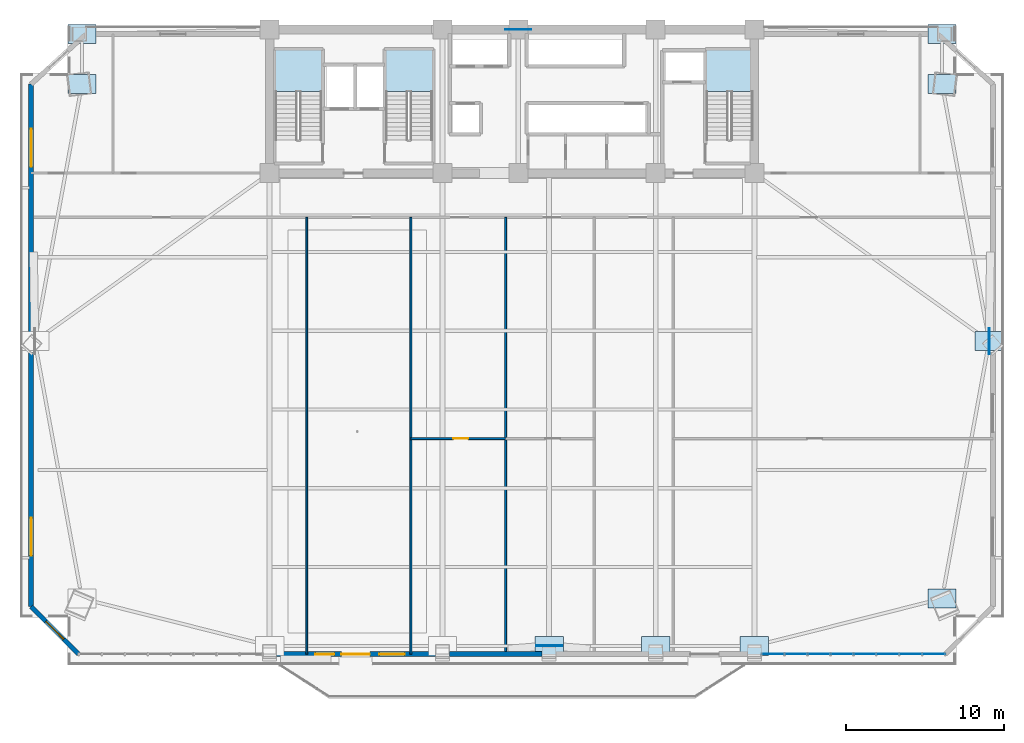
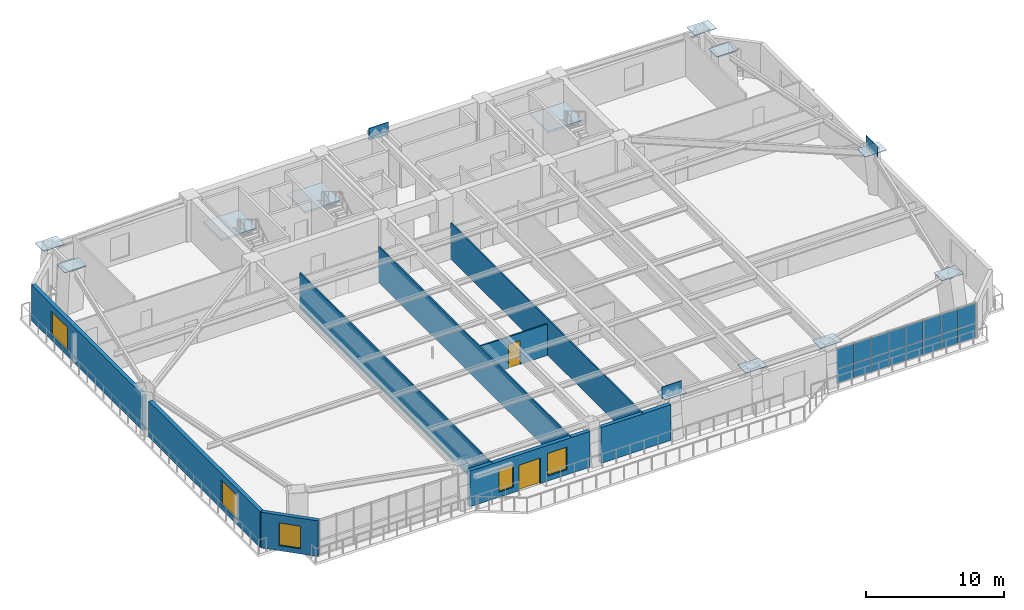
# One storey, part 7 of 15: 28 plates, 9 walls, 5 windows, 3 slabs, 2 doors, 7 openings, 4 elements without a shape of their own.
"""IFC4 building model written with IfcOpenShell, lengths in metres."""

from ifc_helpers import new_model, si_unit, direction, frame, frame_2d, origin, origin_2d, place, context, subcontext, project, spatial, polyline, rectangle, outline, extrude, source, transform, mapped, material, layer, layer_set, type_object, element, fill, aggregate, save


model = new_model("IFC4")

# Units and contexts
model_context = context("Model", 3, precision=1e-05, world=origin(), true_north=direction((0.0, 1.0)))
body_context = subcontext(model_context, "Body", "Model", "MODEL_VIEW")
ifc_project = project(units=[si_unit("LENGTHUNIT", "METRE"), si_unit("AREAUNIT", "SQUARE_METRE"), si_unit("VOLUMEUNIT", "CUBIC_METRE"), si_unit("PLANEANGLEUNIT", "RADIAN"), si_unit("MASSUNIT", "GRAM", prefix="KILO")], contexts=[model_context])

# Site, building, storey
site_placement = place(None, origin())
site = spatial("IfcSite", under=ifc_project, at=site_placement, CompositionType="ELEMENT")
building_placement = place(site_placement, origin())
building = spatial("IfcBuilding", under=site, at=building_placement, Name="Giltprow Tower", CompositionType="ELEMENT")
storey_placement = place(building_placement, frame((0.0, 0.0, 119.199951171875)))
storey = spatial("IfcBuildingStorey", under=building, at=storey_placement, Name="L29", CompositionType="ELEMENT", Elevation=119.199951171875)

# Stair, slab
ifc_material_1 = material(Name="Concrete C40", Category="concrete")
stair_type_1 = type_object("IfcStairType", Name="STR-ST-1", PredefinedType="HALF_TURN_STAIR", material=ifc_material_1)
stair_1_placement = place(storey_placement, origin())
stair_1 = element("IfcStair", 1, at=stair_1_placement, inside=storey, type_object=stair_type_1, Name="L29 Core Exit Stair ST-1", PredefinedType="HALF_TURN_STAIR")
ifc_layer_1 = layer(ifc_material_1, 0.179931640625, Name="Concrete C40")
ifc_layer_set_1 = layer_set([ifc_layer_1], Name="Concrete C40")
slab_type_1 = type_object("IfcSlabType", Name="SLD-ST-1", PredefinedType="LANDING", material=ifc_layer_set_1)
slab_1_placement = place(storey_placement, frame((0.0, 0.0, 1.77001953125)))
slab_1 = element("IfcSlab", 2, at=slab_1_placement, type_object=slab_type_1, Name="ST-1 landing 1", PredefinedType="LANDING", context=body_context, shape_type="SweptSolid", body=[
    extrude(outline(polyline([(23.159912109375, 42.6298828125), (23.159912109375, 45.25), (20.199951171875, 45.25), (20.199951171875, 42.6298828125), (23.159912109375, 42.6298828125)])), origin(), (0.0, 0.0, 1.0), 0.179931640625),
])
aggregate(stair_1, [slab_1])

stair_type_2 = type_object("IfcStairType", Name="STR-ST-2", PredefinedType="HALF_TURN_STAIR", material=ifc_material_1)
stair_2_placement = place(storey_placement, origin())
stair_2 = element("IfcStair", 3, at=stair_2_placement, inside=storey, type_object=stair_type_2, Name="L29 Core Exit Stair ST-2", PredefinedType="HALF_TURN_STAIR")
ifc_layer_2 = layer(ifc_material_1, 0.18798828125, Name="Concrete C40")
ifc_layer_set_2 = layer_set([ifc_layer_2], Name="Concrete C40")
slab_type_2 = type_object("IfcSlabType", Name="SLD-ST-2", PredefinedType="LANDING", material=ifc_layer_set_2)
slab_2_placement = place(storey_placement, frame((0.0, 0.0, 1.761962890625)))
slab_2 = element("IfcSlab", 4, at=slab_2_placement, type_object=slab_type_2, Name="ST-2 landing 1", PredefinedType="LANDING", context=body_context, shape_type="SweptSolid", body=[
    extrude(outline(polyline([(30.159912109375, 42.6298828125), (30.159912109375, 45.25), (27.199951171875, 45.25), (27.199951171875, 42.6298828125), (30.159912109375, 42.6298828125)])), origin(), (0.0, 0.0, 1.0), 0.18798828125),
])
aggregate(stair_2, [slab_2])

stair_type_3 = type_object("IfcStairType", Name="STR-ST-3", PredefinedType="HALF_TURN_STAIR", material=ifc_material_1)
stair_3_placement = place(storey_placement, origin())
stair_3 = element("IfcStair", 5, at=stair_3_placement, inside=storey, type_object=stair_type_3, Name="L29 Core Exit Stair ST-3", PredefinedType="HALF_TURN_STAIR")
ifc_layer_3 = layer(ifc_material_1, 0.196044921875, Name="Concrete C40")
ifc_layer_set_3 = layer_set([ifc_layer_3], Name="Concrete C40")
slab_type_3 = type_object("IfcSlabType", Name="SLD-ST-3", PredefinedType="LANDING", material=ifc_layer_set_3)
slab_3_placement = place(storey_placement, frame((0.0, 0.0, 1.754150390625)))
slab_3 = element("IfcSlab", 6, at=slab_3_placement, type_object=slab_type_3, Name="ST-3 landing 1", PredefinedType="LANDING", context=body_context, shape_type="SweptSolid", body=[
    extrude(outline(polyline([(50.4599609375, 42.6298828125), (50.4599609375, 45.25), (47.5, 45.25), (47.5, 42.6298828125), (50.4599609375, 42.6298828125)])), origin(), (0.0, 0.0, 1.0), 0.19580078125),
])
aggregate(stair_3, [slab_3])

# Plates
ifc_material_2 = material(Name="Structural steel Q420GJC", Category="steel")
plate_type_1 = type_object("IfcPlateType", Name="PLT-NODE-CKN1", PredefinedType="USERDEFINED", material=ifc_material_2)
shared_shape_1 = source(origin(), body_context, "Body", "SweptSolid", [
    extrude(rectangle(XDim=1.800048828125, YDim=1.199951171875, at=origin_2d()), origin(), (0.0, 0.0, 1.0), 0.044921875),
])
for number, where, z_axis, x_axis, name in (
    (7, (62.429931640625, 10.509033203125, 3.6376953125), (0.0, 0.0, 1.0), (1.0, 0.0, 0.0), "CKN1 Column Taper Splice Node L29-MC_SE"),
    (8, (7.969970703125, 43.10888671875, 3.6376953125), (0.0, 0.0, 1.0), (1.0, 0.0, 0.0), "CKN1 Column Taper Splice Node L29-MC_NW"),
    (9, (62.429931640625, 43.10888671875, 3.6376953125), (0.0, 0.0, 1.0), (1.0, 0.0, 0.0), "CKN1 Column Taper Splice Node L29-MC_NE"),
    (10, (37.550048828125, 7.51806640625, 3.6376953125), (0.0, 0.0, 1.0), (1.0, 0.0, 0.0), "CKN1 Column Taper Splice Node L29-S_MID"),
    (11, (44.300048828125, 7.51806640625, 3.6376953125), (0.0, 0.0, 1.0), (1.0, 0.0, 0.0), "CKN1 Column Taper Splice Node L29-S3"),
    (12, (50.550048828125, 7.51806640625, 3.6376953125), (0.0, 0.0, 1.0), (1.0, 0.0, 0.0), "CKN1 Column Taper Splice Node L29-S4"),
    (13, (65.4208984375, 26.80908203125, 3.6376953125), (0.0, 0.0, 1.0), (1.0, 0.0, 0.0), "CKN1 Column Taper Splice Node L29-E_MID"),
    (14, (7.969970703125, 46.25, 3.6376953125), (0.0, 0.0, 1.0), (1.0, 0.0, 0.0), "CKN1 Column Taper Splice Node L29-N_W"),
    (15, (62.429931640625, 46.25, 3.6376953125), (0.0, 0.0, 1.0), (1.0, 0.0, 0.0), "CKN1 Column Taper Splice Node L29-N_E"),
):
    element("IfcPlate", number, at=place(storey_placement, frame(where, z_axis=z_axis, x_axis=x_axis)), inside=storey, type_object=plate_type_1, Name=name, ObjectType="SPLICE", PredefinedType="USERDEFINED", context=body_context, shape_type="MappedRepresentation", body=[
        mapped(shared_shape_1, transform((0.0, 0.0, 0.0), x_axis=(1.0, 0.0, 0.0), y_axis=(0.0, 1.0, 0.0), z_axis=(0.0, 0.0, 1.0), scale=1.0)),
    ])
plate_type_2 = type_object("IfcPlateType", Name="PLT-NODE-MBN2", PredefinedType="USERDEFINED", material=ifc_material_2)
shared_shape_2 = source(origin(), body_context, "Body", "SweptSolid", [
    extrude(rectangle(XDim=1.64990234375, YDim=0.044921875, at=origin_2d()), origin(), (0.0, 0.0, 1.0), 1.050048828125),
])
for number, where, z_axis, x_axis, name in (
    (16, (37.550048828125, 7.51806640625, 3.375), (0.0, 0.0, 1.0), (1.0, 0.0, 0.0), "Mega-Brace Node L29-S-LB"),
    (17, (35.60009765625, 46.550048828125, 3.23486328125), (0.0, 0.0, 1.0), (1.0, 0.0, 0.0), "Mega-Brace Node L29-N-LB"),
    (18, (65.4208984375, 26.80908203125, 3.375), (0.0, 0.0, 1.0), (0.0, 1.0, 0.0), "Mega-Brace Node L29-E-RB"),
):
    element("IfcPlate", number, at=place(storey_placement, frame(where, z_axis=z_axis, x_axis=x_axis)), inside=storey, type_object=plate_type_2, Name=name, ObjectType="GUSSET", PredefinedType="USERDEFINED", context=body_context, shape_type="MappedRepresentation", body=[
        mapped(shared_shape_2, transform((0.0, 0.0, 0.0), x_axis=(1.0, 0.0, 0.0), y_axis=(0.0, 1.0, 0.0), z_axis=(0.0, 0.0, 1.0), scale=1.0)),
    ])

# Curtain wall, plates
ifc_material_3 = material(Name="Anodized bronze", Category="metal")
ifc_layer_4 = layer(ifc_material_3, 0.179931640625, Name="Anodized bronze")
ifc_layer_set_4 = layer_set([ifc_layer_4], Name="Anodized bronze")
curtain_wall_type = type_object("IfcCurtainWallType", Name="CW-OFF-RECESSED", PredefinedType="NOTDEFINED", material=ifc_layer_set_4)
curtain_wall_placement = place(storey_placement, origin())
curtain_wall = element("IfcCurtainWall", 19, at=curtain_wall_placement, inside=storey, type_object=curtain_wall_type, Name="L29 South Recessed Curtain Wall 6", PredefinedType="NOTDEFINED")
ifc_material_4 = material(Name="Insulated glass", Category="glass")
plate_type_3 = type_object("IfcPlateType", Name="CW-PANEL-IGU-28", PredefinedType="CURTAIN_PANEL", material=ifc_material_4)
shared_shape_3 = source(origin(), body_context, "Body", "SweptSolid", [
    extrude(rectangle(XDim=1.425048828125, YDim=0.028076171875, at=origin_2d()), origin(), (0.0, 0.0, 1.0), 1.259033203125),
])
plate_1_placement = place(storey_placement, frame((51.72705078125, 6.989990234375, 0.0537109375), z_axis=(0.0, 0.0, 1.0), x_axis=(1.0, 0.0, 0.0)))
plate_1 = element("IfcPlate", 20, at=plate_1_placement, type_object=plate_type_3, Name="L29 South Recessed Curtain Wall 6 Glazing Panel 1-1", PredefinedType="CURTAIN_PANEL", context=body_context, shape_type="MappedRepresentation", body=[
    mapped(shared_shape_3, transform((0.0, 0.0, 0.0), x_axis=(1.0, 0.0, 0.0), y_axis=(0.0, 1.0, 0.0), z_axis=(0.0, 0.0, 1.0), scale=1.0)),
])
plate_2_placement = place(storey_placement, frame((53.181884765625, 6.989990234375, 0.0537109375), z_axis=(0.0, 0.0, 1.0), x_axis=(1.0, 0.0, 0.0)))
plate_2 = element("IfcPlate", 21, at=plate_2_placement, type_object=plate_type_3, Name="L29 South Recessed Curtain Wall 6 Glazing Panel 2-1", PredefinedType="CURTAIN_PANEL", context=body_context, shape_type="MappedRepresentation", body=[
    mapped(shared_shape_3, transform((0.0, 0.0, 0.0), x_axis=(1.0, 0.0, 0.0), y_axis=(0.0, 1.0, 0.0), z_axis=(0.0, 0.0, 1.0), scale=1.0)),
])
plate_3_placement = place(storey_placement, frame((54.636962890625, 6.989990234375, 0.0537109375), z_axis=(0.0, 0.0, 1.0), x_axis=(1.0, 0.0, 0.0)))
plate_3 = element("IfcPlate", 22, at=plate_3_placement, type_object=plate_type_3, Name="L29 South Recessed Curtain Wall 6 Glazing Panel 3-1", PredefinedType="CURTAIN_PANEL", context=body_context, shape_type="MappedRepresentation", body=[
    mapped(shared_shape_3, transform((0.0, 0.0, 0.0), x_axis=(1.0, 0.0, 0.0), y_axis=(0.0, 1.0, 0.0), z_axis=(0.0, 0.0, 1.0), scale=1.0)),
])
plate_4_placement = place(storey_placement, frame((56.092041015625, 6.989990234375, 0.0537109375), z_axis=(0.0, 0.0, 1.0), x_axis=(1.0, 0.0, 0.0)))
plate_4 = element("IfcPlate", 23, at=plate_4_placement, type_object=plate_type_3, Name="L29 South Recessed Curtain Wall 6 Glazing Panel 4-1", PredefinedType="CURTAIN_PANEL", context=body_context, shape_type="MappedRepresentation", body=[
    mapped(shared_shape_3, transform((0.0, 0.0, 0.0), x_axis=(1.0, 0.0, 0.0), y_axis=(0.0, 1.0, 0.0), z_axis=(0.0, 0.0, 1.0), scale=1.0)),
])
plate_5_placement = place(storey_placement, frame((57.547119140625, 6.989990234375, 0.0537109375), z_axis=(0.0, 0.0, 1.0), x_axis=(1.0, 0.0, 0.0)))
plate_5 = element("IfcPlate", 24, at=plate_5_placement, type_object=plate_type_3, Name="L29 South Recessed Curtain Wall 6 Glazing Panel 5-1", PredefinedType="CURTAIN_PANEL", context=body_context, shape_type="MappedRepresentation", body=[
    mapped(shared_shape_3, transform((0.0, 0.0, 0.0), x_axis=(1.0, 0.0, 0.0), y_axis=(0.0, 1.0, 0.0), z_axis=(0.0, 0.0, 1.0), scale=1.0)),
])
plate_6_placement = place(storey_placement, frame((59.001953125, 6.989990234375, 0.0537109375), z_axis=(0.0, 0.0, 1.0), x_axis=(1.0, 0.0, 0.0)))
plate_6 = element("IfcPlate", 25, at=plate_6_placement, type_object=plate_type_3, Name="L29 South Recessed Curtain Wall 6 Glazing Panel 6-1", PredefinedType="CURTAIN_PANEL", context=body_context, shape_type="MappedRepresentation", body=[
    mapped(shared_shape_3, transform((0.0, 0.0, 0.0), x_axis=(1.0, 0.0, 0.0), y_axis=(0.0, 1.0, 0.0), z_axis=(0.0, 0.0, 1.0), scale=1.0)),
])
plate_7_placement = place(storey_placement, frame((60.45703125, 6.989990234375, 0.0537109375), z_axis=(0.0, 0.0, 1.0), x_axis=(1.0, 0.0, 0.0)))
plate_7 = element("IfcPlate", 26, at=plate_7_placement, type_object=plate_type_3, Name="L29 South Recessed Curtain Wall 6 Glazing Panel 7-1", PredefinedType="CURTAIN_PANEL", context=body_context, shape_type="MappedRepresentation", body=[
    mapped(shared_shape_3, transform((0.0, 0.0, 0.0), x_axis=(1.0, 0.0, 0.0), y_axis=(0.0, 1.0, 0.0), z_axis=(0.0, 0.0, 1.0), scale=1.0)),
])
plate_8_placement = place(storey_placement, frame((61.912109375, 6.989990234375, 0.0537109375), z_axis=(0.0, 0.0, 1.0), x_axis=(1.0, 0.0, 0.0)))
plate_8 = element("IfcPlate", 27, at=plate_8_placement, type_object=plate_type_3, Name="L29 South Recessed Curtain Wall 6 Glazing Panel 8-1", PredefinedType="CURTAIN_PANEL", context=body_context, shape_type="MappedRepresentation", body=[
    mapped(shared_shape_3, transform((0.0, 0.0, 0.0), x_axis=(1.0, 0.0, 0.0), y_axis=(0.0, 1.0, 0.0), z_axis=(0.0, 0.0, 1.0), scale=1.0)),
])
shared_shape_4 = source(origin(), body_context, "Body", "SweptSolid", [
    extrude(rectangle(XDim=1.425048828125, YDim=0.028076171875, at=origin_2d()), origin(), (0.0, 0.0, 1.0), 1.764892578125),
])
plate_9_placement = place(storey_placement, frame((51.72705078125, 6.989990234375, 1.3408203125), z_axis=(0.0, 0.0, 1.0), x_axis=(1.0, 0.0, 0.0)))
plate_9 = element("IfcPlate", 28, at=plate_9_placement, type_object=plate_type_3, Name="L29 South Recessed Curtain Wall 6 Glazing Panel 1-2", PredefinedType="CURTAIN_PANEL", context=body_context, shape_type="MappedRepresentation", body=[
    mapped(shared_shape_4, transform((0.0, 0.0, 0.0), x_axis=(1.0, 0.0, 0.0), y_axis=(0.0, 1.0, 0.0), z_axis=(0.0, 0.0, 1.0), scale=1.0)),
])
plate_10_placement = place(storey_placement, frame((53.181884765625, 6.989990234375, 1.3408203125), z_axis=(0.0, 0.0, 1.0), x_axis=(1.0, 0.0, 0.0)))
plate_10 = element("IfcPlate", 29, at=plate_10_placement, type_object=plate_type_3, Name="L29 South Recessed Curtain Wall 6 Glazing Panel 2-2", PredefinedType="CURTAIN_PANEL", context=body_context, shape_type="MappedRepresentation", body=[
    mapped(shared_shape_4, transform((0.0, 0.0, 0.0), x_axis=(1.0, 0.0, 0.0), y_axis=(0.0, 1.0, 0.0), z_axis=(0.0, 0.0, 1.0), scale=1.0)),
])
plate_11_placement = place(storey_placement, frame((54.636962890625, 6.989990234375, 1.3408203125), z_axis=(0.0, 0.0, 1.0), x_axis=(1.0, 0.0, 0.0)))
plate_11 = element("IfcPlate", 30, at=plate_11_placement, type_object=plate_type_3, Name="L29 South Recessed Curtain Wall 6 Glazing Panel 3-2", PredefinedType="CURTAIN_PANEL", context=body_context, shape_type="MappedRepresentation", body=[
    mapped(shared_shape_4, transform((0.0, 0.0, 0.0), x_axis=(1.0, 0.0, 0.0), y_axis=(0.0, 1.0, 0.0), z_axis=(0.0, 0.0, 1.0), scale=1.0)),
])
plate_12_placement = place(storey_placement, frame((56.092041015625, 6.989990234375, 1.3408203125), z_axis=(0.0, 0.0, 1.0), x_axis=(1.0, 0.0, 0.0)))
plate_12 = element("IfcPlate", 31, at=plate_12_placement, type_object=plate_type_3, Name="L29 South Recessed Curtain Wall 6 Glazing Panel 4-2", PredefinedType="CURTAIN_PANEL", context=body_context, shape_type="MappedRepresentation", body=[
    mapped(shared_shape_4, transform((0.0, 0.0, 0.0), x_axis=(1.0, 0.0, 0.0), y_axis=(0.0, 1.0, 0.0), z_axis=(0.0, 0.0, 1.0), scale=1.0)),
])
plate_13_placement = place(storey_placement, frame((57.547119140625, 6.989990234375, 1.3408203125), z_axis=(0.0, 0.0, 1.0), x_axis=(1.0, 0.0, 0.0)))
plate_13 = element("IfcPlate", 32, at=plate_13_placement, type_object=plate_type_3, Name="L29 South Recessed Curtain Wall 6 Glazing Panel 5-2", PredefinedType="CURTAIN_PANEL", context=body_context, shape_type="MappedRepresentation", body=[
    mapped(shared_shape_4, transform((0.0, 0.0, 0.0), x_axis=(1.0, 0.0, 0.0), y_axis=(0.0, 1.0, 0.0), z_axis=(0.0, 0.0, 1.0), scale=1.0)),
])
plate_14_placement = place(storey_placement, frame((59.001953125, 6.989990234375, 1.3408203125), z_axis=(0.0, 0.0, 1.0), x_axis=(1.0, 0.0, 0.0)))
plate_14 = element("IfcPlate", 33, at=plate_14_placement, type_object=plate_type_3, Name="L29 South Recessed Curtain Wall 6 Glazing Panel 6-2", PredefinedType="CURTAIN_PANEL", context=body_context, shape_type="MappedRepresentation", body=[
    mapped(shared_shape_4, transform((0.0, 0.0, 0.0), x_axis=(1.0, 0.0, 0.0), y_axis=(0.0, 1.0, 0.0), z_axis=(0.0, 0.0, 1.0), scale=1.0)),
])
plate_15_placement = place(storey_placement, frame((60.45703125, 6.989990234375, 1.3408203125), z_axis=(0.0, 0.0, 1.0), x_axis=(1.0, 0.0, 0.0)))
plate_15 = element("IfcPlate", 34, at=plate_15_placement, type_object=plate_type_3, Name="L29 South Recessed Curtain Wall 6 Glazing Panel 7-2", PredefinedType="CURTAIN_PANEL", context=body_context, shape_type="MappedRepresentation", body=[
    mapped(shared_shape_4, transform((0.0, 0.0, 0.0), x_axis=(1.0, 0.0, 0.0), y_axis=(0.0, 1.0, 0.0), z_axis=(0.0, 0.0, 1.0), scale=1.0)),
])
plate_16_placement = place(storey_placement, frame((61.912109375, 6.989990234375, 1.3408203125), z_axis=(0.0, 0.0, 1.0), x_axis=(1.0, 0.0, 0.0)))
plate_16 = element("IfcPlate", 35, at=plate_16_placement, type_object=plate_type_3, Name="L29 South Recessed Curtain Wall 6 Glazing Panel 8-2", PredefinedType="CURTAIN_PANEL", context=body_context, shape_type="MappedRepresentation", body=[
    mapped(shared_shape_4, transform((0.0, 0.0, 0.0), x_axis=(1.0, 0.0, 0.0), y_axis=(0.0, 1.0, 0.0), z_axis=(0.0, 0.0, 1.0), scale=1.0)),
])
aggregate(curtain_wall, [plate_1, plate_9, plate_2, plate_10, plate_3, plate_11, plate_4, plate_12, plate_5, plate_13, plate_6, plate_14, plate_7, plate_15, plate_8, plate_16])

# Wall, opening, window
ifc_material_5 = material(Name="Precast concrete C40", Category="concrete")
ifc_layer_5 = layer(ifc_material_5, 0.300048828125, Name="Precast concrete C40")
ifc_layer_set_5 = layer_set([ifc_layer_5], Name="Precast concrete C40")
wall_type_1 = type_object("IfcWallType", Name="EW-NOTCH-CHAMFER-300", PredefinedType="SOLIDWALL", material=ifc_layer_set_5)
wall_1_placement = place(storey_placement, frame((4.743896484375, 10.007080078125, 0.0), z_axis=(0.0, 0.0, 1.0), x_axis=(0.707106781187, -0.707106781187, 0.0)))
wall_1 = element("IfcWall", 36, at=wall_1_placement, inside=storey, type_object=wall_type_1, Name="L29 Corner Notch Wall SW", PredefinedType="SOLIDWALL", context=body_context, shape_type="SweptSolid", body=[
    extrude(rectangle(XDim=4.266845703125, YDim=0.300048828125, at=frame_2d((2.13330078125, 0.0))), origin(), (0.0, 0.0, 1.0), 3.16015625),
])
opening_1_placement = place(wall_1_placement, frame((1.3330078125, 0.0, 0.449951171875)))
opening_1 = element("IfcOpeningElement", 37, at=opening_1_placement, cuts=wall_1, Name="Opening WN17", PredefinedType="OPENING", context=body_context, shape_type="SweptSolid", body=[
    extrude(rectangle(XDim=1.60009765625, YDim=2.0, at=frame_2d((0.800048828125, 1.0))), frame((0.0, 0.159912109375, 0.0), z_axis=(0.0, -1.0, 0.0), x_axis=(1.0, 0.0, 0.0)), (0.0, 0.0, 1.0), 0.320068359375),
])
window_type_1 = type_object("IfcWindowType", Name="WN-COR-1600x2000", PartitioningType="SINGLE_PANEL", PredefinedType="WINDOW", material=ifc_material_4)
shared_shape_5 = source(origin(), body_context, "Body", "SweptSolid", [
    extrude(rectangle(XDim=1.60009765625, YDim=2.0, at=frame_2d((0.800048828125, 1.0))), frame((0.0, 0.030029296875, 0.0), z_axis=(0.0, -1.0, 0.0), x_axis=(1.0, 0.0, 0.0)), (0.0, 0.0, 1.0), 0.06005859375),
])
window_1_placement = place(opening_1_placement, origin())
window_1 = element("IfcWindow", 38, at=window_1_placement, inside=storey, type_object=window_type_1, Name="L29 Corner Notch Window SW", OverallHeight=2.0, OverallWidth=1.60009765625, PartitioningType="SINGLE_PANEL", PredefinedType="WINDOW", context=body_context, shape_type="MappedRepresentation", body=[
    mapped(shared_shape_5, transform((0.0, 0.0, 0.0), x_axis=(1.0, 0.0, 0.0), y_axis=(0.0, 1.0, 0.0), z_axis=(0.0, 0.0, 1.0), scale=1.0)),
])
fill(opening_1, window_1)

# Wall, openings, windows, door
ifc_layer_6 = layer(ifc_material_5, 0.320068359375, Name="Precast concrete C40")
ifc_layer_set_6 = layer_set([ifc_layer_6], Name="Precast concrete C40")
wall_type_2 = type_object("IfcWallType", Name="EW-TOW-STONE-320", PredefinedType="SOLIDWALL", material=ifc_layer_set_6)
wall_2_placement = place(storey_placement, frame((20.300048828125, 6.989990234375, 0.0), z_axis=(0.0, 0.0, 1.0), x_axis=(1.0, 0.0, 0.0)))
wall_2 = element("IfcWall", 39, at=wall_2_placement, inside=storey, type_object=wall_type_2, Name="L29 South Expressed Frame Wall 2", PredefinedType="SOLIDWALL", context=body_context, shape_type="SweptSolid", body=[
    extrude(rectangle(XDim=10.050048828125, YDim=0.320068359375, at=frame_2d((5.02490234375, 0.0))), origin(), (0.0, 0.0, 1.0), 3.16015625),
])
opening_2_placement = place(wall_2_placement, frame((4.10009765625, 0.0, 0.0)))
opening_2 = element("IfcOpeningElement", 40, at=opening_2_placement, cuts=wall_2, Name="Opening ED25", PredefinedType="OPENING", context=body_context, shape_type="SweptSolid", body=[
    extrude(rectangle(XDim=1.800048828125, YDim=2.25, at=frame_2d((0.89990234375, 1.125))), frame((0.0, 0.169921875, 0.0), z_axis=(0.0, -1.0, 0.0), x_axis=(1.0, 0.0, 0.0)), (0.0, 0.0, 1.0), 0.340087890625),
])
opening_3_placement = place(wall_2_placement, frame((2.445068359375, 0.0, 0.449951171875)))
opening_3 = element("IfcOpeningElement", 41, at=opening_3_placement, cuts=wall_2, Name="Opening WN11", PredefinedType="OPENING", context=body_context, shape_type="SweptSolid", body=[
    extrude(rectangle(XDim=1.199951171875, YDim=2.0, at=frame_2d((0.60009765625, 1.0))), frame((0.0, 0.169921875, 0.0), z_axis=(0.0, -1.0, 0.0), x_axis=(1.0, 0.0, 0.0)), (0.0, 0.0, 1.0), 0.340087890625),
])
opening_4_placement = place(wall_2_placement, frame((6.5, 0.0, 0.449951171875)))
opening_4 = element("IfcOpeningElement", 42, at=opening_4_placement, cuts=wall_2, Name="Opening WN17", PredefinedType="OPENING", context=body_context, shape_type="SweptSolid", body=[
    extrude(rectangle(XDim=1.60009765625, YDim=2.0, at=frame_2d((0.800048828125, 1.0))), frame((0.0, 0.169921875, 0.0), z_axis=(0.0, -1.0, 0.0), x_axis=(1.0, 0.0, 0.0)), (0.0, 0.0, 1.0), 0.340087890625),
])
window_2_placement = place(opening_4_placement, origin())
window_2 = element("IfcWindow", 43, at=window_2_placement, inside=storey, type_object=window_type_1, Name="L29 South Window 2B", OverallHeight=2.0, OverallWidth=1.60009765625, PartitioningType="SINGLE_PANEL", PredefinedType="WINDOW", context=body_context, shape_type="MappedRepresentation", body=[
    mapped(shared_shape_5, transform((0.0, 0.0, 0.0), x_axis=(1.0, 0.0, 0.0), y_axis=(0.0, 1.0, 0.0), z_axis=(0.0, 0.0, 1.0), scale=1.0)),
])
fill(opening_4, window_2)
ifc_material_6 = material(Name="Anodized bronze and glass", Category="glass")
door_type_1 = type_object("IfcDoorType", Name="DR-BALC-SLIDE-1800", OperationType="SLIDING_TO_LEFT", PredefinedType="DOOR", material=ifc_material_6)
shared_shape_6 = source(origin(), body_context, "Body", "SweptSolid", [
    extrude(rectangle(XDim=1.800048828125, YDim=2.25, at=frame_2d((0.89990234375, 1.125))), frame((0.0, 0.02490234375, 0.0), z_axis=(0.0, -1.0, 0.0), x_axis=(1.0, 0.0, 0.0)), (0.0, 0.0, 1.0), 0.050048828125),
])
door_1_placement = place(opening_2_placement, origin())
door_1 = element("IfcDoor", 44, at=door_1_placement, inside=storey, type_object=door_type_1, Name="L29 Waterfront Balcony Sliding Door 1", OperationType="SLIDING_TO_LEFT", OverallHeight=2.25, OverallWidth=1.800048828125, PredefinedType="DOOR", context=body_context, shape_type="MappedRepresentation", body=[
    mapped(shared_shape_6, transform((0.0, 0.0, 0.0), x_axis=(1.0, 0.0, 0.0), y_axis=(0.0, 1.0, 0.0), z_axis=(0.0, 0.0, 1.0), scale=1.0)),
])
fill(opening_2, door_1)
window_type_2 = type_object("IfcWindowType", Name="WN-LANCET-1200x2000", PartitioningType="SINGLE_PANEL", PredefinedType="WINDOW", material=ifc_material_4)
shared_shape_7 = source(origin(), body_context, "Body", "SweptSolid", [
    extrude(rectangle(XDim=1.199951171875, YDim=2.0, at=frame_2d((0.60009765625, 1.0))), frame((0.0, 0.030029296875, 0.0), z_axis=(0.0, -1.0, 0.0), x_axis=(1.0, 0.0, 0.0)), (0.0, 0.0, 1.0), 0.06005859375),
])
window_3_placement = place(opening_3_placement, origin())
window_3 = element("IfcWindow", 45, at=window_3_placement, inside=storey, type_object=window_type_2, Name="L29 South Window 2A", OverallHeight=2.0, OverallWidth=1.199951171875, PartitioningType="SINGLE_PANEL", PredefinedType="WINDOW", context=body_context, shape_type="MappedRepresentation", body=[
    mapped(shared_shape_7, transform((0.0, 0.0, 0.0), x_axis=(1.0, 0.0, 0.0), y_axis=(0.0, 1.0, 0.0), z_axis=(0.0, 0.0, 1.0), scale=1.0)),
])
fill(opening_3, window_3)

# Wall
wall_3_placement = place(storey_placement, frame((31.25, 6.989990234375, 0.0), z_axis=(0.0, 0.0, 1.0), x_axis=(1.0, 0.0, 0.0)))
element("IfcWall", 46, at=wall_3_placement, inside=storey, type_object=wall_type_2, Name="L29 South Expressed Frame Wall 3", PredefinedType="SOLIDWALL", context=body_context, shape_type="SweptSolid", body=[
    extrude(rectangle(XDim=5.85009765625, YDim=0.320068359375, at=frame_2d((2.925048828125, 0.0))), origin(), (0.0, 0.0, 1.0), 3.16015625),
])

# Wall, opening, window
wall_4_placement = place(storey_placement, frame((4.743896484375, 10.007080078125, 0.0), z_axis=(0.0, 0.0, 1.0), x_axis=(0.0, 1.0, 0.0)))
wall_4 = element("IfcWall", 47, at=wall_4_placement, inside=storey, type_object=wall_type_2, Name="L29 W Wing Masonry Wall 1", PredefinedType="SOLIDWALL", context=body_context, shape_type="SweptSolid", body=[
    extrude(rectangle(XDim=16.087890625, YDim=0.320068359375, at=frame_2d((8.0439453125, 0.0))), origin(), (0.0, 0.0, 1.0), 3.16015625),
])
opening_5_placement = place(wall_4_placement, frame((3.222900390625, 0.0, 0.449951171875)))
opening_5 = element("IfcOpeningElement", 48, at=opening_5_placement, cuts=wall_4, Name="Opening WN29", PredefinedType="OPENING", context=body_context, shape_type="SweptSolid", body=[
    extrude(rectangle(XDim=2.39990234375, YDim=2.10009765625, at=frame_2d((1.199951171875, 1.050048828125))), frame((0.0, 0.169921875, 0.0), z_axis=(0.0, -1.0, 0.0), x_axis=(1.0, 0.0, 0.0)), (0.0, 0.0, 1.0), 0.340087890625),
])
window_type_3 = type_object("IfcWindowType", Name="WN-OFF-2400x2100", PartitioningType="DOUBLE_PANEL_VERTICAL", PredefinedType="WINDOW", material=ifc_material_4)
shared_shape_8 = source(origin(), body_context, "Body", "SweptSolid", [
    extrude(rectangle(XDim=2.39990234375, YDim=2.10009765625, at=frame_2d((1.199951171875, 1.050048828125))), frame((0.0, 0.030029296875, 0.0), z_axis=(0.0, -1.0, 0.0), x_axis=(1.0, 0.0, 0.0)), (0.0, 0.0, 1.0), 0.06005859375),
])
window_4_placement = place(opening_5_placement, origin())
window_4 = element("IfcWindow", 49, at=window_4_placement, inside=storey, type_object=window_type_3, Name="L29 W Wing Window 1-1A", OverallHeight=2.10009765625, OverallWidth=2.39990234375, PartitioningType="SINGLE_PANEL", PredefinedType="WINDOW", context=body_context, shape_type="MappedRepresentation", body=[
    mapped(shared_shape_8, transform((0.0, 0.0, 0.0), x_axis=(1.0, 0.0, 0.0), y_axis=(0.0, 1.0, 0.0), z_axis=(0.0, 0.0, 1.0), scale=1.0)),
])
fill(opening_5, window_4)

wall_5_placement = place(storey_placement, frame((4.743896484375, 26.9951171875, 0.0), z_axis=(0.0, 0.0, 1.0), x_axis=(0.0, 1.0, 0.0)))
wall_5 = element("IfcWall", 50, at=wall_5_placement, inside=storey, type_object=wall_type_2, Name="L29 W Wing Masonry Wall 2", PredefinedType="SOLIDWALL", context=body_context, shape_type="SweptSolid", body=[
    extrude(rectangle(XDim=16.087890625, YDim=0.320068359375, at=frame_2d((8.0439453125, 0.0))), origin(), (0.0, 0.0, 1.0), 3.16015625),
])
opening_6_placement = place(wall_5_placement, frame((10.860107421875, 0.0, 0.449951171875)))
opening_6 = element("IfcOpeningElement", 51, at=opening_6_placement, cuts=wall_5, Name="Opening WN29", PredefinedType="OPENING", context=body_context, shape_type="SweptSolid", body=[
    extrude(rectangle(XDim=2.39990234375, YDim=2.10009765625, at=frame_2d((1.199951171875, 1.050048828125))), frame((0.0, 0.169921875, 0.0), z_axis=(0.0, -1.0, 0.0), x_axis=(1.0, 0.0, 0.0)), (0.0, 0.0, 1.0), 0.340087890625),
])
window_5_placement = place(opening_6_placement, origin())
window_5 = element("IfcWindow", 52, at=window_5_placement, inside=storey, type_object=window_type_3, Name="L29 W Wing Window 2-1", OverallHeight=2.10009765625, OverallWidth=2.39990234375, PartitioningType="SINGLE_PANEL", PredefinedType="WINDOW", context=body_context, shape_type="MappedRepresentation", body=[
    mapped(shared_shape_8, transform((0.0, 0.0, 0.0), x_axis=(1.0, 0.0, 0.0), y_axis=(0.0, 1.0, 0.0), z_axis=(0.0, 0.0, 1.0), scale=1.0)),
])
fill(opening_6, window_5)

# Walls
ifc_material_7 = material(Name="Gypsum stud partition", Category="gypsum")
ifc_layer_7 = layer(ifc_material_7, 0.1201171875, Name="Gypsum stud partition")
ifc_layer_set_7 = layer_set([ifc_layer_7], Name="Gypsum stud partition")
wall_type_3 = type_object("IfcWallType", Name="IW-ROOM-120", PredefinedType="PARTITIONING", material=ifc_layer_set_7)
for number, where, z_axis, x_axis, name in (
    (53, (22.199951171875, 6.989990234375, 0.0), (0.0, 0.0, 1.0), (0.0, 1.0, 0.0), "L29 Office Partition 1"),
    (54, (28.800048828125, 6.989990234375, 0.0), (0.0, 0.0, 1.0), (0.0, 1.0, 0.0), "L29 Office Partition 2"),
):
    element("IfcWall", number, at=place(storey_placement, frame(where, z_axis=z_axis, x_axis=x_axis)), inside=storey, type_object=wall_type_3, Name=name, PredefinedType="PARTITIONING", context=body_context, shape_type="SweptSolid", body=[
        extrude(rectangle(XDim=27.659912109375, YDim=0.1201171875, at=frame_2d((13.830078125, 0.0))), origin(), (0.0, 0.0, 1.0), 3.1650390625),
    ])

# Wall, opening, door
wall_6_placement = place(storey_placement, frame((28.800048828125, 20.64501953125, 0.0), z_axis=(0.0, 0.0, 1.0), x_axis=(1.0, 0.0, 0.0)))
wall_6 = element("IfcWall", 55, at=wall_6_placement, inside=storey, type_object=wall_type_3, Name="L29 Office Mid Wall 3", PredefinedType="PARTITIONING", context=body_context, shape_type="SweptSolid", body=[
    extrude(rectangle(XDim=6.0, YDim=0.1201171875, at=frame_2d((3.0, 0.0))), origin(), (0.0, 0.0, 1.0), 2.76513671875),
])
opening_7_placement = place(wall_6_placement, frame((2.68310546875, 0.0, 0.0)))
opening_7 = element("IfcOpeningElement", 56, at=opening_7_placement, cuts=wall_6, Name="Opening ID11", PredefinedType="OPENING", context=body_context, shape_type="SweptSolid", body=[
    extrude(rectangle(XDim=0.949951171875, YDim=2.10009765625, at=frame_2d((0.47509765625, 1.050048828125))), frame((0.0, 0.070068359375, 0.0), z_axis=(0.0, -1.0, 0.0), x_axis=(1.0, 0.0, 0.0)), (0.0, 0.0, 1.0), 0.14013671875),
])
ifc_material_8 = material(Name="Engineered timber", Category="wood")
door_type_2 = type_object("IfcDoorType", Name="DR-ROOM-950", OperationType="SINGLE_SWING_RIGHT", PredefinedType="DOOR", material=ifc_material_8)
shared_shape_9 = source(origin(), body_context, "Body", "SweptSolid", [
    extrude(rectangle(XDim=0.949951171875, YDim=2.10009765625, at=frame_2d((0.47509765625, 1.050048828125))), frame((0.0, 0.02490234375, 0.0), z_axis=(0.0, -1.0, 0.0), x_axis=(1.0, 0.0, 0.0)), (0.0, 0.0, 1.0), 0.050048828125),
])
door_2_placement = place(opening_7_placement, origin())
door_2 = element("IfcDoor", 57, at=door_2_placement, inside=storey, type_object=door_type_2, Name="L29 Architecture Office 2 Inner Door", OperationType="SINGLE_SWING_LEFT", OverallHeight=2.10009765625, OverallWidth=0.949951171875, PredefinedType="DOOR", context=body_context, shape_type="MappedRepresentation", body=[
    mapped(shared_shape_9, transform((0.0, 0.0, 0.0), x_axis=(1.0, 0.0, 0.0), y_axis=(0.0, 1.0, 0.0), z_axis=(0.0, 0.0, 1.0), scale=1.0)),
])
fill(opening_7, door_2)

# Wall
wall_7_placement = place(storey_placement, frame((34.800048828125, 6.989990234375, 0.0), z_axis=(0.0, 0.0, 1.0), x_axis=(0.0, 1.0, 0.0)))
element("IfcWall", 58, at=wall_7_placement, inside=storey, type_object=wall_type_3, Name="L29 Office Partition 3", PredefinedType="PARTITIONING", context=body_context, shape_type="SweptSolid", body=[
    extrude(rectangle(XDim=27.659912109375, YDim=0.1201171875, at=frame_2d((13.830078125, 0.0))), origin(), (0.0, 0.0, 1.0), 3.1650390625),
])

save(model, "model.ifc")
